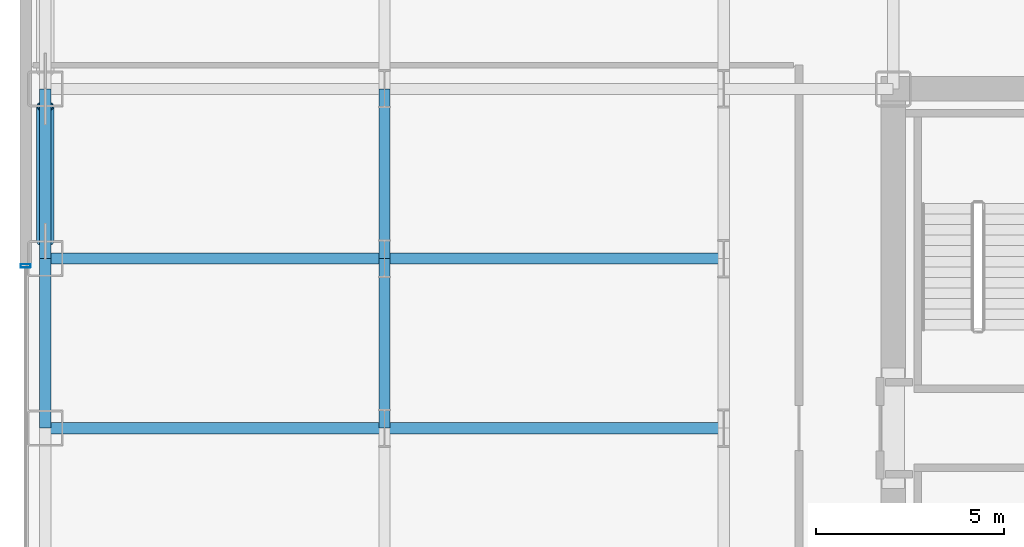
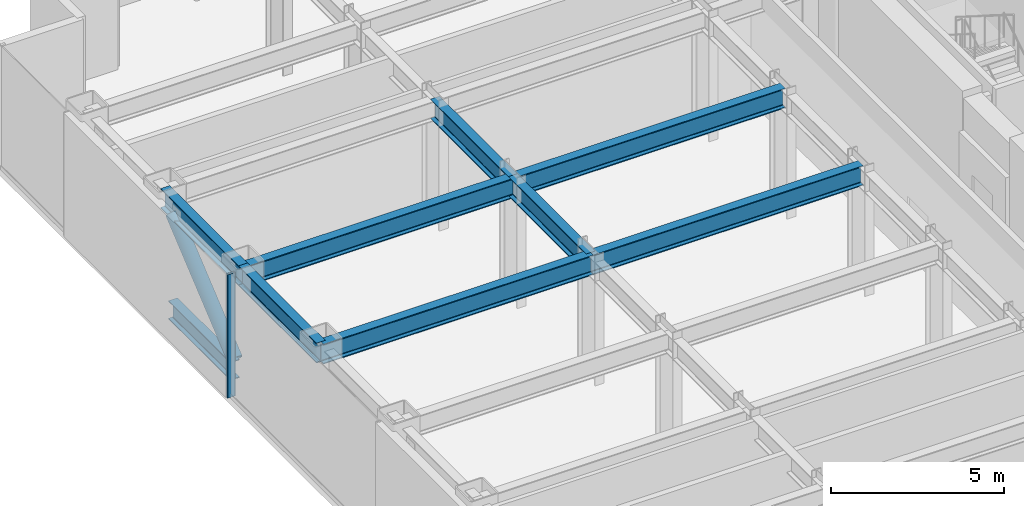
# One storey, part 6 of 30: 8 beams, 3 members, 1 element without a shape of its own.
"""IFC4 building model written with IfcOpenShell, lengths in metres."""

import ifcopenshell
import ifcopenshell.guid

model = None  # the IFC model being written
_history = None  # IfcOwnerHistory: only IFC2X3 demands one
_inside = {}  # id of a spatial element -> (the spatial element, [elements in it])
_under = {}  # id of a project, library or spatial element -> (it, [spatial elements below it])
_declared = {}  # id of a project -> (the project, [libraries it declares])
_typed = {}  # id of a type object -> (the type object, [elements of that type])
_made_of = {}  # id of a material, layer set ... -> (it, [elements and type objects made of it])


def new_model(schema):
    """Start an empty IFC model of exactly this schema.

    Asked for "IFC4X3", IfcOpenShell would pick the latest addendum, in which some entities
    have other attributes; the version numbers below select the first issue.
    IFC2X3 requires an IfcOwnerHistory on every rooted entity: one is made here for all.
    """
    global model, _history
    if schema == "IFC4X3":
        model = ifcopenshell.file(schema_version=(4, 3, 0, 0))
    else:
        model = ifcopenshell.file(schema=schema)
    _inside.clear()
    _under.clear()
    _declared.clear()
    _typed.clear()
    _made_of.clear()
    _history = None
    if model.schema == "IFC2X3":
        org = make("IfcOrganization", Name="unknown")
        user = make(
            "IfcPersonAndOrganization",
            ThePerson=make("IfcPerson", FamilyName="unknown"),
            TheOrganization=org,
        )
        app = make(
            "IfcApplication",
            ApplicationDeveloper=org,
            Version="unknown",
            ApplicationFullName="unknown",
            ApplicationIdentifier="unknown",
        )
        _history = make(
            "IfcOwnerHistory",
            OwningUser=user,
            OwningApplication=app,
            ChangeAction="ADDED",
            CreationDate=0,
        )
    return model


def make(cls, **values):
    """One entity of the class cls with the attributes given. An attribute that is None is left unset."""
    return model.create_entity(
        cls, **{name: value for name, value in values.items() if value is not None}
    )


def rooted(cls, **values):
    """An entity with a GlobalId (a new one), such as an element, a storey or a relation."""
    return make(cls, GlobalId=ifcopenshell.guid.new(), OwnerHistory=_history, **values)


def si_unit(unit_type, name, prefix=None):
    """IfcSIUnit, for example si_unit("LENGTHUNIT", "METRE", prefix="MILLI")."""
    return make("IfcSIUnit", UnitType=unit_type, Prefix=prefix, Name=name)


def assignment(units):
    """IfcUnitAssignment: the units of a project."""
    return None if units is None else make("IfcUnitAssignment", Units=units)


def point(xyz):
    """IfcCartesianPoint."""
    return None if xyz is None else make("IfcCartesianPoint", Coordinates=xyz)


def direction(xyz):
    """IfcDirection."""
    return None if xyz is None else make("IfcDirection", DirectionRatios=xyz)


def frame(location, z_axis=None, x_axis=None):
    """IfcAxis2Placement3D, a coordinate frame: its origin and axes. An axis left out is left unset."""
    return make(
        "IfcAxis2Placement3D",
        Location=point(location),
        Axis=direction(z_axis),
        RefDirection=direction(x_axis),
    )


def frame_2d(location, x_axis=None):
    """IfcAxis2Placement2D, a coordinate frame in the plane: its origin and x axis."""
    return make(
        "IfcAxis2Placement2D", Location=point(location), RefDirection=direction(x_axis)
    )


def origin():
    """The frame at (0, 0, 0) with its axes left unset."""
    return frame((0.0, 0.0, 0.0))


def origin_2d():
    """The frame at (0, 0) in the plane with its x axis left unset."""
    return frame_2d((0.0, 0.0))


def place(relative_to, where):
    """IfcLocalPlacement: puts the frame where relative to a parent placement (None: the world)."""
    return make(
        "IfcLocalPlacement", PlacementRelTo=relative_to, RelativePlacement=where
    )


def context(
    kind, dimensions, precision=None, world=None, true_north=None, identifier=None
):
    """IfcGeometricRepresentationContext, for example the 3D "Model" context."""
    return make(
        "IfcGeometricRepresentationContext",
        ContextIdentifier=identifier,
        ContextType=kind,
        CoordinateSpaceDimension=dimensions,
        Precision=precision,
        WorldCoordinateSystem=world,
        TrueNorth=true_north,
    )


def subcontext(parent, identifier, kind, view, scale=None):
    """IfcGeometricRepresentationSubContext, for example "Body" below "Model"."""
    return make(
        "IfcGeometricRepresentationSubContext",
        ContextIdentifier=identifier,
        ContextType=kind,
        ParentContext=parent,
        TargetScale=scale,
        TargetView=view,
    )


def project(units=None, contexts=None):
    """IfcProject with its units and contexts."""
    return rooted(
        "IfcProject",
        Name="project",
        RepresentationContexts=contexts,
        UnitsInContext=assignment(units),
    )


def spatial(cls, under=None, at=None, **own):
    """A site, building, storey or space (cls), placed at a placement, below another one or the project."""
    s = rooted(cls, ObjectPlacement=at, **own)
    if under is not None:
        _under.setdefault(under.id(), (under, []))[1].append(s)
    return s


def profile(cls, at=None, kind="AREA", **sizes):
    """A parametric profile (cls). Its sizes go by their IFC names, for example OverallWidth=200.0."""
    return make(cls, ProfileType=kind, Position=at, **sizes)


def hollow_rectangle(**sizes):
    """IfcRectangleHollowProfileDef."""
    return profile("IfcRectangleHollowProfileDef", **sizes)


def hollow_circle(**sizes):
    """IfcCircleHollowProfileDef."""
    return profile("IfcCircleHollowProfileDef", **sizes)


def i_section(**sizes):
    """IfcIShapeProfileDef."""
    return profile("IfcIShapeProfileDef", **sizes)


def extrude(swept, where, along, depth):
    """IfcExtrudedAreaSolid: the profile swept, set in the frame where, extruded along a direction by depth."""
    return make(
        "IfcExtrudedAreaSolid",
        SweptArea=swept,
        Position=where,
        ExtrudedDirection=direction(along),
        Depth=depth,
    )


def shape(context_of_items, identifier, shape_type, items):
    """IfcShapeRepresentation: the items that make up one representation, for example the "Body"."""
    return make(
        "IfcShapeRepresentation",
        ContextOfItems=context_of_items,
        RepresentationIdentifier=identifier,
        RepresentationType=shape_type,
        Items=items,
    )


def source(mapping_origin, context_of_items, identifier, shape_type, items):
    """IfcRepresentationMap: a shape defined once, which mapped items show again and again."""
    return make(
        "IfcRepresentationMap",
        MappingOrigin=mapping_origin,
        MappedRepresentation=shape(context_of_items, identifier, shape_type, items),
    )


def transform(
    local_origin,
    x_axis=None,
    y_axis=None,
    z_axis=None,
    scale=None,
    scale2=None,
    scale3=None,
    uniform=True,
):
    """IfcCartesianTransformationOperator3D, or its non-uniform kind. x_axis, y_axis, z_axis: its Axis1, 2, 3."""
    if uniform:
        return make(
            "IfcCartesianTransformationOperator3D",
            Axis1=direction(x_axis),
            Axis2=direction(y_axis),
            LocalOrigin=point(local_origin),
            Scale=scale,
            Axis3=direction(z_axis),
        )
    return make(
        "IfcCartesianTransformationOperator3DnonUniform",
        Axis1=direction(x_axis),
        Axis2=direction(y_axis),
        LocalOrigin=point(local_origin),
        Scale=scale,
        Axis3=direction(z_axis),
        Scale2=scale2,
        Scale3=scale3,
    )


def mapped(mapping_source, mapping_target):
    """IfcMappedItem: shows the shape of a source again, moved by a transform."""
    return make(
        "IfcMappedItem", MappingSource=mapping_source, MappingTarget=mapping_target
    )


def material(Name=None, Category=None):
    """IfcMaterial."""
    return make("IfcMaterial", Name=Name, Category=Category)


def layer(
    of_material, thickness, ventilated=None, Name=None, Category=None, Priority=None
):
    """IfcMaterialLayer: one layer of a wall or slab, of a material (None: an air gap)."""
    return make(
        "IfcMaterialLayer",
        Material=of_material,
        LayerThickness=thickness,
        IsVentilated=ventilated,
        Name=Name,
        Category=Category,
        Priority=Priority,
    )


def layer_set(layers, Name=None):
    """IfcMaterialLayerSet."""
    return make("IfcMaterialLayerSet", MaterialLayers=layers, LayerSetName=Name)


def material_profile(
    of_material, cross_section, Name=None, Category=None, Priority=None
):
    """IfcMaterialProfile: a cross section and its material."""
    return make(
        "IfcMaterialProfile",
        Name=Name,
        Material=of_material,
        Profile=cross_section,
        Priority=Priority,
        Category=Category,
    )


def profile_set(profiles, Name=None, composite=None):
    """IfcMaterialProfileSet."""
    return make(
        "IfcMaterialProfileSet",
        Name=Name,
        MaterialProfiles=profiles,
        CompositeProfile=composite,
    )


def made_of(thing, what):
    """Note that an element or type object is made of a material, layer set ...; save() writes the relation."""
    if what is not None:
        _made_of.setdefault(what.id(), (what, []))[1].append(thing)
    return thing


def type_object(cls, material=None, **own):
    """A type object (cls), such as IfcWallType, which elements share."""
    return made_of(rooted(cls, **own), material)


def element(
    cls,
    number,
    at=None,
    inside=None,
    cuts=None,
    type_object=None,
    material=None,
    context=None,
    identifier="Body",
    shape_type=None,
    held_by="IfcProductDefinitionShape",
    body=None,
    shapes=None,
    **own,
):
    """One element of the class cls, such as IfcWall. Its Tag is "e" and its number.

    at: its placement. inside: the storey or other place that contains it. cuts: it is an
    opening in that element (IfcRelVoidsElement). A single representation is given by context,
    identifier, shape_type and body (its items); several are given by shapes. held_by: the class
    of the entity that holds the representations. save() writes the other relations.
    """
    e = rooted(cls, Tag="e%d" % number, ObjectPlacement=at, **own)
    if body is not None:
        shapes = [shape(context, identifier, shape_type, body)]
    if shapes is not None:
        e.Representation = make(held_by, Representations=shapes)
    if inside is not None:
        _inside.setdefault(inside.id(), (inside, []))[1].append(e)
    if cuts is not None:
        rooted(
            "IfcRelVoidsElement", RelatingBuildingElement=cuts, RelatedOpeningElement=e
        )
    if type_object is not None:
        _typed.setdefault(type_object.id(), (type_object, []))[1].append(e)
    return made_of(e, material)


def aggregate(whole, parts):
    """IfcRelAggregates: a whole, such as a stair, and the parts it consists of."""
    return rooted("IfcRelAggregates", RelatingObject=whole, RelatedObjects=parts)


def save(model, path):
    """Write the relations noted so far, then the file.

    IfcRelAggregates (storeys below a building ...), IfcRelContainedInSpatialStructure (elements
    in a storey), IfcRelDefinesByType, IfcRelAssociatesMaterial and IfcRelDeclares: one each for
    every whole, place, type object, material and project.
    """
    for whole, parts in _under.values():
        aggregate(whole, parts)
    for where, things in _inside.values():
        rooted(
            "IfcRelContainedInSpatialStructure",
            RelatedElements=things,
            RelatingStructure=where,
        )
    for kind, things in _typed.values():
        rooted("IfcRelDefinesByType", RelatedObjects=things, RelatingType=kind)
    for what, things in _made_of.values():
        rooted("IfcRelAssociatesMaterial", RelatedObjects=things, RelatingMaterial=what)
    for by, libraries in _declared.values():
        rooted("IfcRelDeclares", RelatingContext=by, RelatedDefinitions=libraries)
    model.write(path)


model = new_model("IFC4")

# Units and contexts
model_context = context("Model", 3, precision=1e-05, world=origin(), true_north=direction((0.0, 1.0)))
body_context = subcontext(model_context, "Body", "Model", "MODEL_VIEW")
ifc_project = project(units=[si_unit("LENGTHUNIT", "METRE"), si_unit("AREAUNIT", "SQUARE_METRE"), si_unit("VOLUMEUNIT", "CUBIC_METRE"), si_unit("PLANEANGLEUNIT", "RADIAN"), si_unit("MASSUNIT", "GRAM", prefix="KILO")], contexts=[model_context])

# Site, building, storey
site_placement = place(None, origin())
site = spatial("IfcSite", under=ifc_project, at=site_placement, CompositionType="ELEMENT")
building_placement = place(site_placement, origin())
building = spatial("IfcBuilding", under=site, at=building_placement, Name="Nefas-Gora Pilgrimage Tower", CompositionType="ELEMENT")
storey_placement = place(building_placement, frame((0.0, 0.0, 86.199951171875)))
storey = spatial("IfcBuildingStorey", under=building, at=storey_placement, Name="L20", CompositionType="ELEMENT", Elevation=86.199951171875)

# Beams
ifc_material_1 = material(Name="Steel S355", Category="steel")
ifc_material_profile_1 = material_profile(ifc_material_1, i_section(OverallWidth=0.300048828125, OverallDepth=0.699951171875, WebThickness=0.01708984375, FlangeThickness=0.031982421875, FilletRadius=0.027099609375, at=origin_2d()), Name="HEB 700")
ifc_profile_set_1 = profile_set([ifc_material_profile_1], Name="Steel S355")
beam_type_1 = type_object("IfcBeamType", Name="BM-SPN-HEB600", PredefinedType="SPANDREL", material=ifc_profile_set_1)
shared_shape_1 = source(origin(), body_context, "Body", "SweptSolid", [
    extrude(i_section(OverallWidth=0.300048828125, OverallDepth=0.699951171875, WebThickness=0.01708984375, FlangeThickness=0.031982421875, FilletRadius=0.027099609375, at=origin_2d()), origin(), (0.0, 0.0, 1.0), 4.5),
])
for number, where, z_axis, x_axis, name in (
    (1, (-33.75, 0.0, 4.0), (0.0, 1.0, 0.0), (-1.0, 0.0, 0.0), "L20 SP-01 beam"),
    (2, (-33.75, 4.5, 4.0), (0.0, 1.0, 0.0), (-1.0, 0.0, 0.0), "L20 SP-01 beam"),
):
    element("IfcBeam", number, at=place(storey_placement, frame(where, z_axis=z_axis, x_axis=x_axis)), inside=storey, type_object=beam_type_1, Name=name, PredefinedType="SPANDREL", context=body_context, shape_type="MappedRepresentation", body=[
        mapped(shared_shape_1, transform((0.0, 0.0, 0.0), x_axis=(1.0, 0.0, 0.0), y_axis=(0.0, 1.0, 0.0), z_axis=(0.0, 0.0, 1.0), scale=1.0)),
    ])
ifc_material_profile_2 = material_profile(ifc_material_1, i_section(OverallWidth=0.300048828125, OverallDepth=0.699951171875, WebThickness=0.01708984375, FlangeThickness=0.031982421875, FilletRadius=0.027099609375, at=origin_2d()), Name="HEB 700")
ifc_profile_set_2 = profile_set([ifc_material_profile_2], Name="Steel S355")
beam_type_2 = type_object("IfcBeamType", Name="BM-GIR-HEB700", PredefinedType="BEAM", material=ifc_profile_set_2)
shared_shape_2 = source(origin(), body_context, "Body", "SweptSolid", [
    extrude(i_section(OverallWidth=0.300048828125, OverallDepth=0.699951171875, WebThickness=0.01708984375, FlangeThickness=0.031982421875, FilletRadius=0.027099609375, at=origin_2d()), origin(), (0.0, 0.0, 1.0), 9.0),
])
for number, where, z_axis, x_axis, name in (
    (3, (-33.75, 0.0, 4.0), (1.0, 0.0, 0.0), (0.0, 1.0, 0.0), "L20 G-02 beam"),
    (4, (-33.75, 4.5, 4.0), (1.0, 0.0, 0.0), (0.0, 1.0, 0.0), "L20 G-02 beam"),
    (5, (-24.75, 0.0, 4.0), (1.0, 0.0, 0.0), (0.0, 1.0, 0.0), "L20 G-02 beam"),
    (6, (-24.75, 4.5, 4.0), (1.0, 0.0, 0.0), (0.0, 1.0, 0.0), "L20 G-02 beam"),
):
    element("IfcBeam", number, at=place(storey_placement, frame(where, z_axis=z_axis, x_axis=x_axis)), inside=storey, type_object=beam_type_2, Name=name, PredefinedType="BEAM", context=body_context, shape_type="MappedRepresentation", body=[
        mapped(shared_shape_2, transform((0.0, 0.0, 0.0), x_axis=(1.0, 0.0, 0.0), y_axis=(0.0, 1.0, 0.0), z_axis=(0.0, 0.0, 1.0), scale=1.0)),
    ])
shared_shape_3 = source(origin(), body_context, "Body", "SweptSolid", [
    extrude(i_section(OverallWidth=0.300048828125, OverallDepth=0.699951171875, WebThickness=0.01708984375, FlangeThickness=0.031982421875, FilletRadius=0.027099609375, at=origin_2d()), origin(), (0.0, 0.0, 1.0), 4.5),
])
for number, where, z_axis, x_axis, name in (
    (7, (-24.75, 0.0, 4.0), (0.0, 1.0, 0.0), (-1.0, 0.0, 0.0), "L20 G-02 beam"),
    (8, (-24.75, 4.5, 4.0), (0.0, 1.0, 0.0), (-1.0, 0.0, 0.0), "L20 G-02 beam"),
):
    element("IfcBeam", number, at=place(storey_placement, frame(where, z_axis=z_axis, x_axis=x_axis)), inside=storey, type_object=beam_type_2, Name=name, PredefinedType="BEAM", context=body_context, shape_type="MappedRepresentation", body=[
        mapped(shared_shape_3, transform((0.0, 0.0, 0.0), x_axis=(1.0, 0.0, 0.0), y_axis=(0.0, 1.0, 0.0), z_axis=(0.0, 0.0, 1.0), scale=1.0)),
    ])

# Members
ifc_material_2 = material(Name="Steel S460", Category="steel")
ifc_material_profile_3 = material_profile(ifc_material_2, hollow_circle(Radius=0.228515625, WallThickness=0.028076171875, at=origin_2d()), Name="CHS 457x28")
ifc_profile_set_3 = profile_set([ifc_material_profile_3], Name="Steel S460")
member_type_1 = type_object("IfcMemberType", Name="MEM-BELT-457", PredefinedType="BRACE", material=ifc_profile_set_3)
shared_shape_4 = source(origin(), body_context, "Body", "SweptSolid", [
    extrude(hollow_circle(Radius=0.228515625, WallThickness=0.028076171875, at=origin_2d()), origin(), (0.0, 0.0, 1.0), 4.652587890625),
])
member_1_placement = place(storey_placement, frame((-33.75, 4.962890625, 0.73583984375), z_axis=(0.0, 0.768221279597, 0.640184399664), x_axis=(-1.0, 0.0, 0.0)))
element("IfcMember", 9, at=member_1_placement, inside=storey, type_object=member_type_1, Name="L20 Perimeter Belt-Truss Diagonal 3", PredefinedType="BRACE", context=body_context, shape_type="MappedRepresentation", body=[
    mapped(shared_shape_4, transform((0.0, 0.0, 0.0), x_axis=(1.0, 0.0, 0.0), y_axis=(0.0, 1.0, 0.0), z_axis=(0.0, 0.0, 1.0), scale=1.0)),
])
ifc_material_profile_4 = material_profile(ifc_material_2, i_section(OverallWidth=0.300048828125, OverallDepth=0.64990234375, WebThickness=0.01611328125, FlangeThickness=0.031005859375, FilletRadius=0.027099609375, at=origin_2d()), Name="HEB 650")
ifc_profile_set_4 = profile_set([ifc_material_profile_4], Name="Steel S460")
member_type_2 = type_object("IfcMemberType", Name="MEM-BELT-CHORD", PredefinedType="CHORD", material=ifc_profile_set_4)
shared_shape_5 = source(origin(), body_context, "Body", "SweptSolid", [
    extrude(i_section(OverallWidth=0.300048828125, OverallDepth=0.64990234375, WebThickness=0.01611328125, FlangeThickness=0.031005859375, FilletRadius=0.027099609375, at=origin_2d()), origin(), (0.0, 0.0, 1.0), 3.57421875),
])
member_2_placement = place(storey_placement, frame((-33.75, 4.962890625, 0.35009765625), z_axis=(0.0, 1.0, 0.0), x_axis=(-1.0, 0.0, 0.0)))
element("IfcMember", 10, at=member_2_placement, inside=storey, type_object=member_type_2, Name="L20 Perimeter Belt-Truss Bottom Chord 3", PredefinedType="CHORD", context=body_context, shape_type="MappedRepresentation", body=[
    mapped(shared_shape_5, transform((0.0, 0.0, 0.0), x_axis=(1.0, 0.0, 0.0), y_axis=(0.0, 1.0, 0.0), z_axis=(0.0, 0.0, 1.0), scale=1.0)),
])

# Curtain wall, member
ifc_material_3 = material(Name="Dark ceramic-fritted solar-control aluminium-glass curtain wall", Category="aluminium")
ifc_layer = layer(ifc_material_3, 0.219970703125)
ifc_layer_set = layer_set([ifc_layer], Name="Dark ceramic-fritted solar-control aluminium-glass curtain wall")
curtain_wall_type = type_object("IfcCurtainWallType", Name="CW-SYS-2", PredefinedType="NOTDEFINED", material=ifc_layer_set)
curtain_wall_placement = place(storey_placement, origin())
curtain_wall = element("IfcCurtainWall", 11, at=curtain_wall_placement, inside=storey, type_object=curtain_wall_type, Name="L20 Unitised Curtain Wall CW2", PredefinedType="NOTDEFINED")
ifc_material_4 = material(Name="Anodised architectural aluminium", Category="aluminium")
ifc_material_profile_5 = material_profile(ifc_material_4, hollow_rectangle(XDim=0.090087890625, YDim=0.260009765625, WallThickness=0.006103515625, InnerFilletRadius=0.006103515625, OuterFilletRadius=0.011962890625, at=origin_2d()), Name="ALU MULLION 90x260")
ifc_profile_set_5 = profile_set([ifc_material_profile_5], Name="Anodised architectural aluminium")
member_type_3 = type_object("IfcMemberType", Name="CWM-MUL-2", PredefinedType="MULLION", material=ifc_profile_set_5)
shared_shape_6 = source(origin(), body_context, "Body", "SweptSolid", [
    extrude(hollow_rectangle(XDim=0.090087890625, YDim=0.260009765625, WallThickness=0.006103515625, InnerFilletRadius=0.006103515625, OuterFilletRadius=0.011962890625, at=origin_2d()), origin(), (0.0, 0.0, 1.0), 4.35009765625),
])
member_3_placement = place(storey_placement, frame((-34.27001953125, 4.304931640625, 0.0), z_axis=(0.0, 0.0, 1.0), x_axis=(0.0, -1.0, 0.0)))
member_3 = element("IfcMember", 12, at=member_3_placement, type_object=member_type_3, Name="CW2 Mullion 1", PredefinedType="MULLION", context=body_context, shape_type="MappedRepresentation", body=[
    mapped(shared_shape_6, transform((0.0, 0.0, 0.0), x_axis=(1.0, 0.0, 0.0), y_axis=(0.0, 1.0, 0.0), z_axis=(0.0, 0.0, 1.0), scale=1.0)),
])
aggregate(curtain_wall, [member_3])

save(model, "model.ifc")
